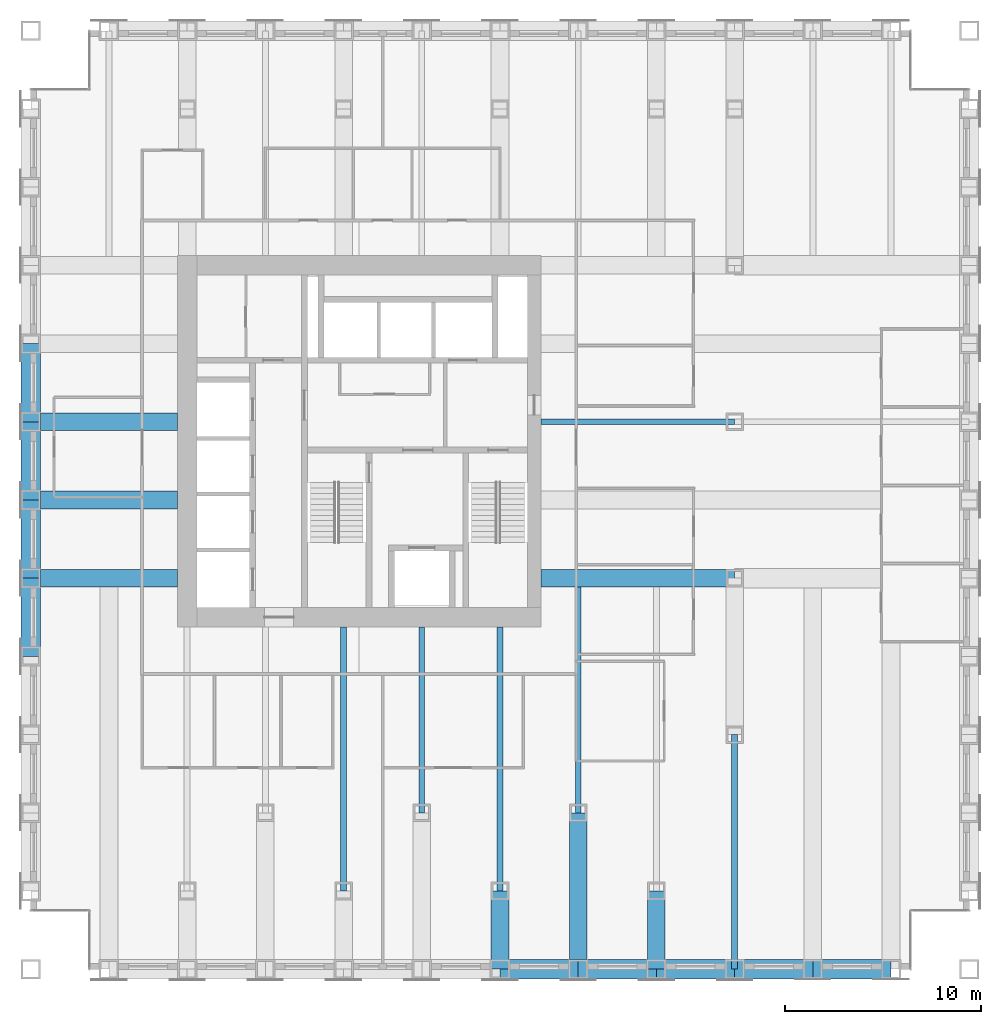
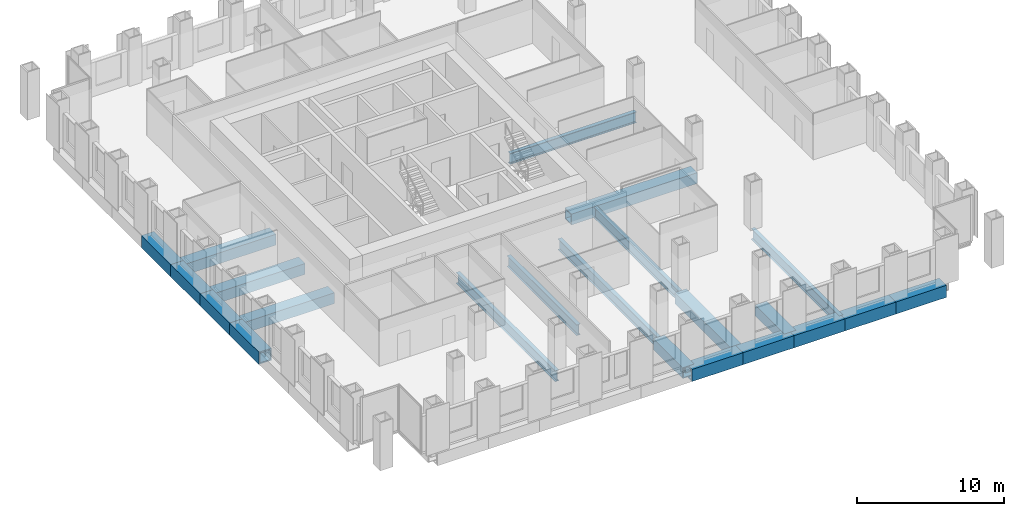
# One storey, part 3 of 16: 22 beams.
"""IFC4 building model written with IfcOpenShell, lengths in metres."""

from ifc_helpers import new_model, si_unit, direction, frame, origin, origin_2d, place, context, subcontext, project, spatial, hollow_rectangle, i_section, extrude, material, material_profile, profile_set, type_object, element, save


model = new_model("IFC4")

# Units and contexts
model_context = context("Model", 3, precision=1e-05, world=origin(), true_north=direction((0.0, 1.0)))
body_context = subcontext(model_context, "Body", "Model", "MODEL_VIEW")
ifc_project = project(units=[si_unit("LENGTHUNIT", "METRE"), si_unit("AREAUNIT", "SQUARE_METRE"), si_unit("VOLUMEUNIT", "CUBIC_METRE"), si_unit("PLANEANGLEUNIT", "RADIAN"), si_unit("MASSUNIT", "GRAM", prefix="KILO")], contexts=[model_context])

# Site, building, storey
site_placement = place(None, origin())
site = spatial("IfcSite", under=ifc_project, at=site_placement, CompositionType="ELEMENT")
building_placement = place(site_placement, origin())
building = spatial("IfcBuilding", under=site, at=building_placement, Name="Rimbunsela Tower", CompositionType="ELEMENT")
storey_placement = place(building_placement, frame((0.0, 0.0, 85.39990234375)))
storey = spatial("IfcBuildingStorey", under=building, at=storey_placement, Name="L20", CompositionType="ELEMENT", Elevation=85.39990234375)

# Beams
ifc_material_1 = material(Name="Steel BJ 55 (fy 410 MPa)", Category="steel")
ifc_material_profile_1 = material_profile(ifc_material_1, hollow_rectangle(XDim=1.0, YDim=1.0, WallThickness=0.10009765625, at=origin_2d()), Name="BOX 1000x1000x100")
ifc_profile_set_1 = profile_set([ifc_material_profile_1], Name="Steel BJ 55 (fy 410 MPa)")
beam_type_1 = type_object("IfcBeamType", Name="Beam BOX 1000x1000x100", PredefinedType="BEAM", material=ifc_profile_set_1)
for number, where, z_axis, x_axis, name in (
    (1, (10.0, 16.0, -0.64990234375), (0.0, 1.0, 0.0), (-1.0, 0.0, 0.0), "Beam B3 L20"),
    (2, (10.0, 20.0, -0.64990234375), (0.0, 1.0, 0.0), (-1.0, 0.0, 0.0), "Beam B3 L20"),
    (3, (10.0, 24.0, -0.64990234375), (0.0, 1.0, 0.0), (-1.0, 0.0, 0.0), "Beam B3 L20"),
    (4, (10.0, 28.0, -0.64990234375), (0.0, 1.0, 0.0), (-1.0, 0.0, 0.0), "Beam B3 L20"),
    (5, (34.0, 0.0, -0.64990234375), (1.0, 0.0, 0.0), (0.0, 1.0, 0.0), "Beam B3 L20"),
    (6, (38.0, 0.0, -0.64990234375), (1.0, 0.0, 0.0), (0.0, 1.0, 0.0), "Beam B3 L20"),
    (7, (42.0, 0.0, -0.64990234375), (1.0, 0.0, 0.0), (0.0, 1.0, 0.0), "Beam B3 L20"),
    (8, (46.0, 0.0, -0.64990234375), (1.0, 0.0, 0.0), (0.0, 1.0, 0.0), "Beam B3 L20"),
    (9, (50.0, 0.0, -0.64990234375), (1.0, 0.0, 0.0), (0.0, 1.0, 0.0), "Beam B3 L20"),
):
    element("IfcBeam", number, at=place(storey_placement, frame(where, z_axis=z_axis, x_axis=x_axis)), inside=storey, type_object=beam_type_1, Name=name, PredefinedType="BEAM", context=body_context, shape_type="SweptSolid", body=[
        extrude(hollow_rectangle(XDim=1.0, YDim=1.0, WallThickness=0.10009765625, at=origin_2d()), origin(), (0.0, 0.0, 1.0), 4.0),
    ])
ifc_material_2 = material(Name="Steel BJ 55 (fy 410 MPa)", Category="steel")
ifc_material_profile_2 = material_profile(ifc_material_2, hollow_rectangle(XDim=0.89990234375, YDim=0.89990234375, WallThickness=0.06005859375, at=origin_2d()), Name="BOX 900x900x60")
ifc_profile_set_2 = profile_set([ifc_material_profile_2], Name="Steel BJ 55 (fy 410 MPa)")
beam_type_2 = type_object("IfcBeamType", Name="Beam BOX 900x900x60", PredefinedType="BEAM", material=ifc_profile_set_2)
for number, where, z_axis, x_axis, name in (
    (10, (10.0, 20.0, -0.599853515625), (1.0, 0.0, 0.0), (0.0, 1.0, 0.0), "Beam B1 L20"),
    (11, (10.0, 24.0, -0.599853515625), (1.0, 0.0, 0.0), (0.0, 1.0, 0.0), "Beam B1 L20"),
    (12, (10.0, 28.0, -0.599853515625), (1.0, 0.0, 0.0), (0.0, 1.0, 0.0), "Beam B1 L20"),
):
    element("IfcBeam", number, at=place(storey_placement, frame(where, z_axis=z_axis, x_axis=x_axis)), inside=storey, type_object=beam_type_2, Name=name, PredefinedType="BEAM", context=body_context, shape_type="SweptSolid", body=[
        extrude(hollow_rectangle(XDim=0.89990234375, YDim=0.89990234375, WallThickness=0.06005859375, at=origin_2d()), origin(), (0.0, 0.0, 1.0), 7.5),
    ])
beam_1_placement = place(storey_placement, frame((34.0, 0.0, -0.599853515625), z_axis=(0.0, 1.0, 0.0), x_axis=(-1.0, 0.0, 0.0)))
element("IfcBeam", 13, at=beam_1_placement, inside=storey, type_object=beam_type_2, Name="Beam B1 L20", PredefinedType="BEAM", context=body_context, shape_type="SweptSolid", body=[
    extrude(hollow_rectangle(XDim=0.89990234375, YDim=0.89990234375, WallThickness=0.06005859375, at=origin_2d()), origin(), (0.0, 0.0, 1.0), 4.0),
])
beam_2_placement = place(storey_placement, frame((36.10009765625, 20.0, -0.599853515625), z_axis=(1.0, 0.0, 0.0), x_axis=(0.0, 1.0, 0.0)))
element("IfcBeam", 14, at=beam_2_placement, inside=storey, type_object=beam_type_2, Name="Beam B1 L20", PredefinedType="BEAM", context=body_context, shape_type="SweptSolid", body=[
    extrude(hollow_rectangle(XDim=0.89990234375, YDim=0.89990234375, WallThickness=0.06005859375, at=origin_2d()), origin(), (0.0, 0.0, 1.0), 9.89990234375),
])
beam_3_placement = place(storey_placement, frame((38.0, 0.0, -0.599853515625), z_axis=(0.0, 1.0, 0.0), x_axis=(-1.0, 0.0, 0.0)))
element("IfcBeam", 15, at=beam_3_placement, inside=storey, type_object=beam_type_2, Name="Beam B1 L20", PredefinedType="BEAM", context=body_context, shape_type="SweptSolid", body=[
    extrude(hollow_rectangle(XDim=0.89990234375, YDim=0.89990234375, WallThickness=0.06005859375, at=origin_2d()), origin(), (0.0, 0.0, 1.0), 8.0),
])
beam_4_placement = place(storey_placement, frame((42.0, 0.0, -0.599853515625), z_axis=(0.0, 1.0, 0.0), x_axis=(-1.0, 0.0, 0.0)))
element("IfcBeam", 16, at=beam_4_placement, inside=storey, type_object=beam_type_2, Name="Beam B1 L20", PredefinedType="BEAM", context=body_context, shape_type="SweptSolid", body=[
    extrude(hollow_rectangle(XDim=0.89990234375, YDim=0.89990234375, WallThickness=0.06005859375, at=origin_2d()), origin(), (0.0, 0.0, 1.0), 4.0),
])
ifc_material_3 = material(Name="Steel BJ 55 (fy 410 MPa)", Category="steel")
ifc_material_profile_3 = material_profile(ifc_material_3, i_section(OverallWidth=0.300048828125, OverallDepth=0.89990234375, WebThickness=0.01611328125, FlangeThickness=0.028076171875, FilletRadius=0.028076171875, at=origin_2d()), Name="H 900x300x16x28")
ifc_profile_set_3 = profile_set([ifc_material_profile_3], Name="Steel BJ 55 (fy 410 MPa)")
beam_type_3 = type_object("IfcBeamType", Name="Beam H 900x300x16x28", PredefinedType="BEAM", material=ifc_profile_set_3)
beam_5_placement = place(storey_placement, frame((26.0, 4.0, -0.599853515625), z_axis=(0.0, 1.0, 0.0), x_axis=(-1.0, 0.0, 0.0)))
element("IfcBeam", 17, at=beam_5_placement, inside=storey, type_object=beam_type_3, Name="Beam B2 L20", PredefinedType="BEAM", context=body_context, shape_type="SweptSolid", body=[
    extrude(i_section(OverallWidth=0.300048828125, OverallDepth=0.89990234375, WebThickness=0.01611328125, FlangeThickness=0.028076171875, FilletRadius=0.028076171875, at=origin_2d()), origin(), (0.0, 0.0, 1.0), 13.5),
])
beam_6_placement = place(storey_placement, frame((30.0, 8.0, -0.599853515625), z_axis=(0.0, 1.0, 0.0), x_axis=(-1.0, 0.0, 0.0)))
element("IfcBeam", 18, at=beam_6_placement, inside=storey, type_object=beam_type_3, Name="Beam B2 L20", PredefinedType="BEAM", context=body_context, shape_type="SweptSolid", body=[
    extrude(i_section(OverallWidth=0.300048828125, OverallDepth=0.89990234375, WebThickness=0.01611328125, FlangeThickness=0.028076171875, FilletRadius=0.028076171875, at=origin_2d()), origin(), (0.0, 0.0, 1.0), 9.5),
])
beam_7_placement = place(storey_placement, frame((34.0, 4.0, -0.599853515625), z_axis=(0.0, 1.0, 0.0), x_axis=(-1.0, 0.0, 0.0)))
element("IfcBeam", 19, at=beam_7_placement, inside=storey, type_object=beam_type_3, Name="Beam B2 L20", PredefinedType="BEAM", context=body_context, shape_type="SweptSolid", body=[
    extrude(i_section(OverallWidth=0.300048828125, OverallDepth=0.89990234375, WebThickness=0.01611328125, FlangeThickness=0.028076171875, FilletRadius=0.028076171875, at=origin_2d()), origin(), (0.0, 0.0, 1.0), 13.5),
])
beam_8_placement = place(storey_placement, frame((36.10009765625, 28.0, -0.599853515625), z_axis=(1.0, 0.0, 0.0), x_axis=(0.0, 1.0, 0.0)))
element("IfcBeam", 20, at=beam_8_placement, inside=storey, type_object=beam_type_3, Name="Beam B2 L20", PredefinedType="BEAM", context=body_context, shape_type="SweptSolid", body=[
    extrude(i_section(OverallWidth=0.300048828125, OverallDepth=0.89990234375, WebThickness=0.01611328125, FlangeThickness=0.028076171875, FilletRadius=0.028076171875, at=origin_2d()), origin(), (0.0, 0.0, 1.0), 9.89990234375),
])
beam_9_placement = place(storey_placement, frame((38.0, 8.0, -0.599853515625), z_axis=(0.0, 1.0, 0.0), x_axis=(-1.0, 0.0, 0.0)))
element("IfcBeam", 21, at=beam_9_placement, inside=storey, type_object=beam_type_3, Name="Beam B2 L20", PredefinedType="BEAM", context=body_context, shape_type="SweptSolid", body=[
    extrude(i_section(OverallWidth=0.300048828125, OverallDepth=0.89990234375, WebThickness=0.01611328125, FlangeThickness=0.028076171875, FilletRadius=0.028076171875, at=origin_2d()), origin(), (0.0, 0.0, 1.0), 11.550048828125),
])
beam_10_placement = place(storey_placement, frame((46.0, 0.0, -0.599853515625), z_axis=(0.0, 1.0, 0.0), x_axis=(-1.0, 0.0, 0.0)))
element("IfcBeam", 22, at=beam_10_placement, inside=storey, type_object=beam_type_3, Name="Beam B2 L20", PredefinedType="BEAM", context=body_context, shape_type="SweptSolid", body=[
    extrude(i_section(OverallWidth=0.300048828125, OverallDepth=0.89990234375, WebThickness=0.01611328125, FlangeThickness=0.028076171875, FilletRadius=0.028076171875, at=origin_2d()), origin(), (0.0, 0.0, 1.0), 12.0),
])

save(model, "model.ifc")
